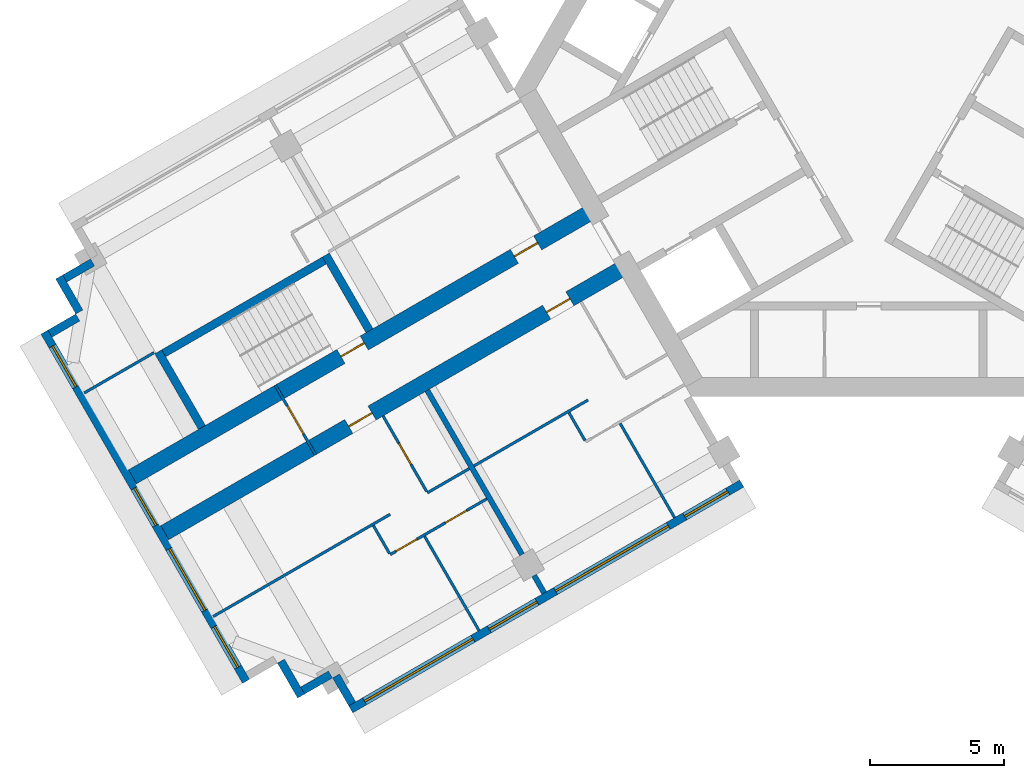
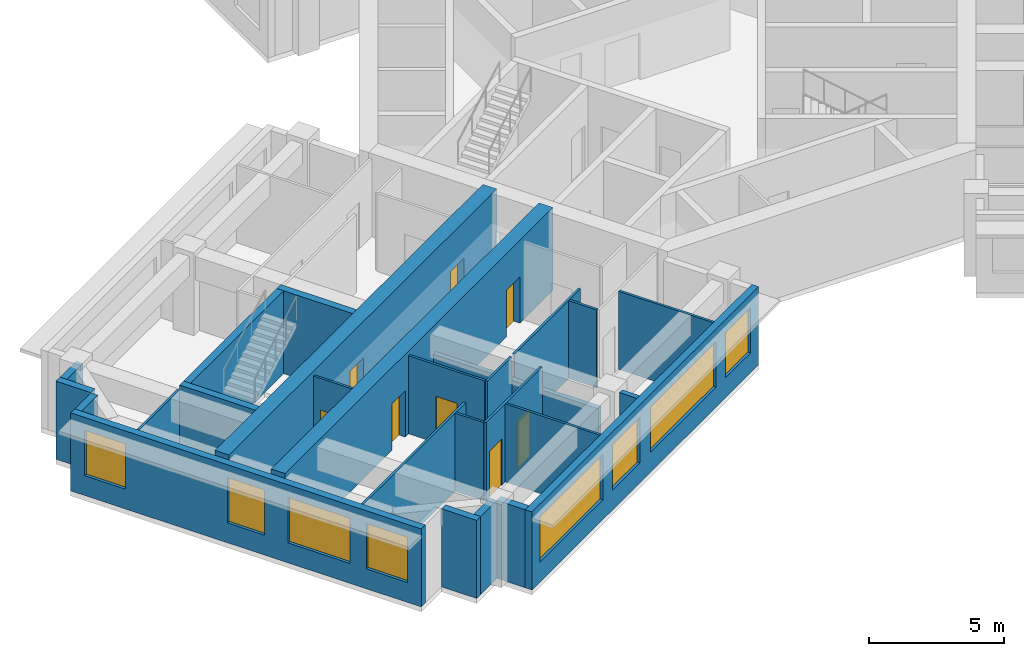
# One storey, part 2 of 10: 26 walls, 8 doors, 8 windows, 16 openings.
"""IFC4 building model written with IfcOpenShell, lengths in metres."""

from ifc_helpers import new_model, si_unit, direction, frame, frame_2d, origin, place, context, subcontext, project, spatial, rectangle, extrude, material, layer, layer_set, type_object, element, fill, save


model = new_model("IFC4")

# Units and contexts
model_context = context("Model", 3, precision=1e-05, world=origin(), true_north=direction((0.0, 1.0)))
body_context = subcontext(model_context, "Body", "Model", "MODEL_VIEW")
ifc_project = project(units=[si_unit("LENGTHUNIT", "METRE"), si_unit("AREAUNIT", "SQUARE_METRE"), si_unit("VOLUMEUNIT", "CUBIC_METRE"), si_unit("PLANEANGLEUNIT", "RADIAN"), si_unit("MASSUNIT", "GRAM", prefix="KILO")], contexts=[model_context])

# Site, building, storey
site_placement = place(None, origin())
site = spatial("IfcSite", under=ifc_project, at=site_placement, CompositionType="ELEMENT")
building_placement = place(site_placement, origin())
building = spatial("IfcBuilding", under=site, at=building_placement, Name="Impinga Residences", CompositionType="ELEMENT")
storey_placement = place(building_placement, frame((0.0, 0.0, 256.0)))
storey = spatial("IfcBuildingStorey", under=building, at=storey_placement, Name="L64", CompositionType="ELEMENT", Elevation=256.0)

# Wall, openings, doors
ifc_material_1 = material(Name="Concrete C60/75", Category="concrete")
ifc_layer_1 = layer(ifc_material_1, 0.60009765625)
ifc_layer_set_1 = layer_set([ifc_layer_1], Name="Concrete C60/75")
wall_type_1 = type_object("IfcWallType", Name="BW3 corridor buttress wall, L46 to L73 600", PredefinedType="SHEAR", material=ifc_layer_set_1)
wall_1_placement = place(storey_placement, frame((-8.996826171875, -6.580078125, 0.0), z_axis=(0.0, 0.0, 1.0), x_axis=(-0.866030540451, -0.499991102927, 0.0)))
wall_1 = element("IfcWall", 1, at=wall_1_placement, inside=storey, type_object=wall_type_1, Name="Corridor wall BW3 WC L64", PredefinedType="SHEAR", context=body_context, shape_type="SweptSolid", body=[
    extrude(rectangle(XDim=19.849853515625, YDim=0.60009765625, at=frame_2d((9.9248046875, 0.0))), origin(), (0.0, 0.0, 1.0), 3.75),
])
opening_1_placement = place(wall_1_placement, frame((2.449951171875, 0.0, 0.0)))
opening_1 = element("IfcOpeningElement", 2, at=opening_1_placement, cuts=wall_1, Name="Opening D1", PredefinedType="OPENING", context=body_context, shape_type="SweptSolid", body=[
    extrude(rectangle(XDim=1.0, YDim=2.10009765625, at=frame_2d((0.5, 1.050048828125))), frame((0.0, 0.31005859375, 0.0), z_axis=(0.0, -1.0, 0.0), x_axis=(1.0, 0.0, 0.0)), (0.0, 0.0, 1.0), 0.6201171875),
])
opening_2_placement = place(wall_1_placement, frame((10.949951171875, 0.0, 0.0)))
opening_2 = element("IfcOpeningElement", 3, at=opening_2_placement, cuts=wall_1, Name="Opening D1", PredefinedType="OPENING", context=body_context, shape_type="SweptSolid", body=[
    extrude(rectangle(XDim=1.0, YDim=2.10009765625, at=frame_2d((0.5, 1.050048828125))), frame((0.0, 0.31005859375, 0.0), z_axis=(0.0, -1.0, 0.0), x_axis=(1.0, 0.0, 0.0)), (0.0, 0.0, 1.0), 0.6201171875),
])
ifc_material_2 = material(Name="Timber door set", Category="wood")
door_type_1 = type_object("IfcDoorType", Name="D1 apartment entrance door 1000x2100", OperationType="SINGLE_SWING_LEFT", PredefinedType="DOOR", material=ifc_material_2)
door_1_placement = place(opening_1_placement, origin())
door_1 = element("IfcDoor", 4, at=door_1_placement, inside=storey, type_object=door_type_1, Name="Apartment L64-WA1 entrance", OperationType="SINGLE_SWING_LEFT", OverallHeight=2.10009765625, OverallWidth=1.0, PredefinedType="DOOR", context=body_context, shape_type="SweptSolid", body=[
    extrude(rectangle(XDim=1.0, YDim=2.10009765625, at=frame_2d((0.5, 1.050048828125))), frame((0.0, 0.02490234375, 0.0), z_axis=(0.0, -1.0, 0.0), x_axis=(1.0, 0.0, 0.0)), (0.0, 0.0, 1.0), 0.050048828125),
])
fill(opening_1, door_1)
door_2_placement = place(opening_2_placement, origin())
door_2 = element("IfcDoor", 5, at=door_2_placement, inside=storey, type_object=door_type_1, Name="Apartment L64-WA2 entrance", OperationType="SINGLE_SWING_RIGHT", OverallHeight=2.10009765625, OverallWidth=1.0, PredefinedType="DOOR", context=body_context, shape_type="SweptSolid", body=[
    extrude(rectangle(XDim=1.0, YDim=2.10009765625, at=frame_2d((0.5, 1.050048828125))), frame((0.0, 0.02490234375, 0.0), z_axis=(0.0, -1.0, 0.0), x_axis=(1.0, 0.0, 0.0)), (0.0, 0.0, 1.0), 0.050048828125),
])
fill(opening_2, door_2)

wall_2_placement = place(storey_placement, frame((-10.19677734375, -4.50146484375, 0.0), z_axis=(0.0, 0.0, 1.0), x_axis=(-0.866025214745, -0.500000327426, 0.0)))
wall_2 = element("IfcWall", 6, at=wall_2_placement, inside=storey, type_object=wall_type_1, Name="Corridor wall BW3 WD L64", PredefinedType="SHEAR", context=body_context, shape_type="SweptSolid", body=[
    extrude(rectangle(XDim=19.85009765625, YDim=0.60009765625, at=frame_2d((9.925048828125, 0.0))), origin(), (0.0, 0.0, 1.0), 3.75),
])
opening_3_placement = place(wall_2_placement, frame((9.89990234375, 0.0, 0.0)))
opening_3 = element("IfcOpeningElement", 7, at=opening_3_placement, cuts=wall_2, Name="Opening D5", PredefinedType="OPENING", context=body_context, shape_type="SweptSolid", body=[
    extrude(rectangle(XDim=1.0, YDim=2.10009765625, at=frame_2d((0.5, 1.050048828125))), frame((0.0, 0.31005859375, 0.0), z_axis=(0.0, -1.0, 0.0), x_axis=(1.0, 0.0, 0.0)), (0.0, 0.0, 1.0), 0.6201171875),
])
opening_4_placement = place(wall_2_placement, frame((2.449951171875, 0.0, 0.0)))
opening_4 = element("IfcOpeningElement", 8, at=opening_4_placement, cuts=wall_2, Name="Opening D1", PredefinedType="OPENING", context=body_context, shape_type="SweptSolid", body=[
    extrude(rectangle(XDim=1.0, YDim=2.10009765625, at=frame_2d((0.5, 1.050048828125))), frame((0.0, 0.31005859375, 0.0), z_axis=(0.0, -1.0, 0.0), x_axis=(1.0, 0.0, 0.0)), (0.0, 0.0, 1.0), 0.6201171875),
])
door_3_placement = place(opening_4_placement, origin())
door_3 = element("IfcDoor", 9, at=door_3_placement, inside=storey, type_object=door_type_1, Name="Apartment L64-WF1 entrance", OperationType="SINGLE_SWING_LEFT", OverallHeight=2.10009765625, OverallWidth=1.0, PredefinedType="DOOR", context=body_context, shape_type="SweptSolid", body=[
    extrude(rectangle(XDim=1.0, YDim=2.10009765625, at=frame_2d((0.5, 1.050048828125))), frame((0.0, 0.02490234375, 0.0), z_axis=(0.0, -1.0, 0.0), x_axis=(1.0, 0.0, 0.0)), (0.0, 0.0, 1.0), 0.050048828125),
])
fill(opening_4, door_3)
door_type_2 = type_object("IfcDoorType", Name="D5 stair door 1000x2100", OperationType="SINGLE_SWING_LEFT", PredefinedType="DOOR", material=ifc_material_2)
door_4_placement = place(opening_3_placement, origin())
door_4 = element("IfcDoor", 10, at=door_4_placement, inside=storey, type_object=door_type_2, Name="Wing stair door W", OperationType="SINGLE_SWING_RIGHT", OverallHeight=2.10009765625, OverallWidth=1.0, PredefinedType="DOOR", context=body_context, shape_type="SweptSolid", body=[
    extrude(rectangle(XDim=1.0, YDim=2.10009765625, at=frame_2d((0.5, 1.050048828125))), frame((0.0, 0.02490234375, 0.0), z_axis=(0.0, -1.0, 0.0), x_axis=(1.0, 0.0, 0.0)), (0.0, 0.0, 1.0), 0.050048828125),
])
fill(opening_3, door_4)

# Wall, opening, door
ifc_material_3 = material(Name="Concrete blockwork", Category="masonry")
ifc_layer_2 = layer(ifc_material_3, 0.10009765625)
ifc_layer_set_2 = layer_set([ifc_layer_2], Name="CP1 core room partition, blockwork 100")
wall_type_2 = type_object("IfcWallType", Name="CP1 core room partition, blockwork 100", PredefinedType="PARTITIONING", material=ifc_layer_set_2)
wall_3_placement = place(storey_placement, frame((-20.58154296875, -13.61474609375, 0.0), z_axis=(0.0, 0.0, 1.0), x_axis=(-0.50002537861, 0.866010750942, 0.0)))
wall_3 = element("IfcWall", 11, at=wall_3_placement, inside=storey, type_object=wall_type_2, Name="Core room partition, blockwork L64:W:LNG", PredefinedType="PARTITIONING", context=body_context, shape_type="SweptSolid", body=[
    extrude(rectangle(XDim=2.999755859375, YDim=0.10009765625, at=frame_2d((1.5, 0.0))), origin(), (0.0, 0.0, 1.0), 3.530029296875),
])
opening_5_placement = place(wall_3_placement, frame((0.89990234375, 0.0, 0.0)))
opening_5 = element("IfcOpeningElement", 12, at=opening_5_placement, cuts=wall_3, Name="Opening D3", PredefinedType="OPENING", context=body_context, shape_type="SweptSolid", body=[
    extrude(rectangle(XDim=1.199951171875, YDim=2.10009765625, at=frame_2d((0.60009765625, 1.050048828125))), frame((0.0, 0.06005859375, 0.0), z_axis=(0.0, -1.0, 0.0), x_axis=(1.0, 0.0, 0.0)), (0.0, 0.0, 1.0), 0.1201171875),
])
door_type_3 = type_object("IfcDoorType", Name="D3 room door, leaf and a half 1200x2100", OperationType="DOUBLE_SWING_LEFT", PredefinedType="DOOR", material=ifc_material_2)
door_5_placement = place(opening_5_placement, origin())
door_5 = element("IfcDoor", 13, at=door_5_placement, inside=storey, type_object=door_type_3, Name="Residents' lounge door W", OperationType="DOUBLE_SWING_LEFT", OverallHeight=2.10009765625, OverallWidth=1.199951171875, PredefinedType="DOOR", context=body_context, shape_type="SweptSolid", body=[
    extrude(rectangle(XDim=1.199951171875, YDim=2.10009765625, at=frame_2d((0.60009765625, 1.050048828125))), frame((0.0, 0.02490234375, 0.0), z_axis=(0.0, -1.0, 0.0), x_axis=(1.0, 0.0, 0.0)), (0.0, 0.0, 1.0), 0.050048828125),
])
fill(opening_5, door_5)

# Walls
ifc_material_4 = material(Name="Terracotta rainscreen on blockwork", Category="masonry")
ifc_layer_3 = layer(ifc_material_4, 0.300048828125)
ifc_layer_set_3 = layer_set([ifc_layer_3], Name="EW1 external wall, terracotta rainscreen on blockwork 300")
wall_type_3 = type_object("IfcWallType", Name="EW1 external wall, terracotta rainscreen on blockwork 300", PredefinedType="SOLIDWALL", material=ifc_layer_set_3)
wall_4_placement = place(storey_placement, frame((-19.21923828125, -22.874267578125, 0.0), z_axis=(0.0, 0.0, 1.0), x_axis=(-0.500033551112, 0.866006032174, 0.0)))
element("IfcWall", 14, at=wall_4_placement, inside=storey, type_object=wall_type_3, Name="External wall EW1 L64", PredefinedType="SOLIDWALL", context=body_context, shape_type="SweptSolid", body=[
    extrude(rectangle(XDim=1.2001953125, YDim=0.300048828125, at=frame_2d((0.60009765625, 0.0))), origin(), (0.0, 0.0, 1.0), 3.530029296875),
])
wall_5_placement = place(storey_placement, frame((-20.028564453125, -21.782470703125, 0.0), z_axis=(0.0, 0.0, 1.0), x_axis=(-0.865971243484, -0.500093796661, 0.0)))
element("IfcWall", 15, at=wall_5_placement, inside=storey, type_object=wall_type_3, Name="External wall EW1 L64", PredefinedType="SOLIDWALL", context=body_context, shape_type="SweptSolid", body=[
    extrude(rectangle(XDim=1.195068359375, YDim=0.300048828125, at=frame_2d((0.59765625, 0.0))), origin(), (0.0, 0.0, 1.0), 3.530029296875),
])
wall_6_placement = place(storey_placement, frame((-21.118408203125, -22.5849609375, 0.0), z_axis=(0.0, 0.0, 1.0), x_axis=(-0.499990139034, 0.866031096941, 0.0)))
element("IfcWall", 16, at=wall_6_placement, inside=storey, type_object=wall_type_3, Name="External wall EW1 L64", PredefinedType="SOLIDWALL", context=body_context, shape_type="SweptSolid", body=[
    extrude(rectangle(XDim=1.5, YDim=0.300048828125, at=frame_2d((0.75, 0.0))), origin(), (0.0, 0.0, 1.0), 3.530029296875),
])

# Wall, openings, windows
wall_7_placement = place(storey_placement, frame((-23.16748046875, -22.035888671875, 0.0), z_axis=(0.0, 0.0, 1.0), x_axis=(-0.500004234368, 0.866022959057, 0.0)))
wall_7 = element("IfcWall", 17, at=wall_7_placement, inside=storey, type_object=wall_type_3, Name="External wall EW1 L64", PredefinedType="SOLIDWALL", context=body_context, shape_type="SweptSolid", body=[
    extrude(rectangle(XDim=14.999755859375, YDim=0.300048828125, at=frame_2d((7.5, 0.0))), origin(), (0.0, 0.0, 1.0), 3.530029296875),
])
opening_6_placement = place(wall_7_placement, frame((0.60009765625, 0.0, 0.89990234375)))
opening_6 = element("IfcOpeningElement", 18, at=opening_6_placement, cuts=wall_7, Name="Opening W1", PredefinedType="OPENING", context=body_context, shape_type="SweptSolid", body=[
    extrude(rectangle(XDim=1.75, YDim=2.050048828125, at=frame_2d((0.875, 1.02490234375))), frame((0.0, 0.159912109375, 0.0), z_axis=(0.0, -1.0, 0.0), x_axis=(1.0, 0.0, 0.0)), (0.0, 0.0, 1.0), 0.320068359375),
])
opening_7_placement = place(wall_7_placement, frame((3.050048828125, 0.0, 0.89990234375)))
opening_7 = element("IfcOpeningElement", 19, at=opening_7_placement, cuts=wall_7, Name="Opening W18", PredefinedType="OPENING", context=body_context, shape_type="SweptSolid", body=[
    extrude(rectangle(XDim=2.64990234375, YDim=2.050048828125, at=frame_2d((1.324951171875, 1.02490234375))), frame((0.0, 0.159912109375, 0.0), z_axis=(0.0, -1.0, 0.0), x_axis=(1.0, 0.0, 0.0)), (0.0, 0.0, 1.0), 0.320068359375),
])
opening_8_placement = place(wall_7_placement, frame((6.699951171875, 0.0, 0.89990234375)))
opening_8 = element("IfcOpeningElement", 20, at=opening_8_placement, cuts=wall_7, Name="Opening W19", PredefinedType="OPENING", context=body_context, shape_type="SweptSolid", body=[
    extrude(rectangle(XDim=1.60009765625, YDim=2.050048828125, at=frame_2d((0.800048828125, 1.02490234375))), frame((0.0, 0.159912109375, 0.0), z_axis=(0.0, -1.0, 0.0), x_axis=(1.0, 0.0, 0.0)), (0.0, 0.0, 1.0), 0.320068359375),
])
opening_9_placement = place(wall_7_placement, frame((12.64990234375, 0.0, 0.89990234375)))
opening_9 = element("IfcOpeningElement", 21, at=opening_9_placement, cuts=wall_7, Name="Opening W1", PredefinedType="OPENING", context=body_context, shape_type="SweptSolid", body=[
    extrude(rectangle(XDim=1.75, YDim=2.050048828125, at=frame_2d((0.875, 1.02490234375))), frame((0.0, 0.159912109375, 0.0), z_axis=(0.0, -1.0, 0.0), x_axis=(1.0, 0.0, 0.0)), (0.0, 0.0, 1.0), 0.320068359375),
])
ifc_material_5 = material(Name="Aluminium window, clear double glazing", Category="aluminium")
window_type_1 = type_object("IfcWindowType", Name="W1 ribbon window 1750x2050", PartitioningType="SINGLE_PANEL", PredefinedType="WINDOW", material=ifc_material_5)
window_1_placement = place(opening_6_placement, origin())
window_1 = element("IfcWindow", 22, at=window_1_placement, inside=storey, type_object=window_type_1, Name="Window L64", OverallHeight=2.050048828125, OverallWidth=1.75, PartitioningType="SINGLE_PANEL", PredefinedType="WINDOW", context=body_context, shape_type="SweptSolid", body=[
    extrude(rectangle(XDim=1.75, YDim=2.050048828125, at=frame_2d((0.875, 1.02490234375))), frame((0.0, 0.030029296875, 0.0), z_axis=(0.0, -1.0, 0.0), x_axis=(1.0, 0.0, 0.0)), (0.0, 0.0, 1.0), 0.06005859375),
])
fill(opening_6, window_1)
window_2_placement = place(opening_9_placement, origin())
window_2 = element("IfcWindow", 23, at=window_2_placement, inside=storey, type_object=window_type_1, Name="Window L64", OverallHeight=2.050048828125, OverallWidth=1.75, PartitioningType="SINGLE_PANEL", PredefinedType="WINDOW", context=body_context, shape_type="SweptSolid", body=[
    extrude(rectangle(XDim=1.75, YDim=2.050048828125, at=frame_2d((0.875, 1.02490234375))), frame((0.0, 0.030029296875, 0.0), z_axis=(0.0, -1.0, 0.0), x_axis=(1.0, 0.0, 0.0)), (0.0, 0.0, 1.0), 0.06005859375),
])
fill(opening_9, window_2)
window_type_2 = type_object("IfcWindowType", Name="W18 ribbon window 2650x2050", PartitioningType="SINGLE_PANEL", PredefinedType="WINDOW", material=ifc_material_5)
window_3_placement = place(opening_7_placement, origin())
window_3 = element("IfcWindow", 24, at=window_3_placement, inside=storey, type_object=window_type_2, Name="Window L64", OverallHeight=2.050048828125, OverallWidth=2.64990234375, PartitioningType="SINGLE_PANEL", PredefinedType="WINDOW", context=body_context, shape_type="SweptSolid", body=[
    extrude(rectangle(XDim=2.64990234375, YDim=2.050048828125, at=frame_2d((1.324951171875, 1.02490234375))), frame((0.0, 0.030029296875, 0.0), z_axis=(0.0, -1.0, 0.0), x_axis=(1.0, 0.0, 0.0)), (0.0, 0.0, 1.0), 0.06005859375),
])
fill(opening_7, window_3)
window_type_3 = type_object("IfcWindowType", Name="W19 ribbon window 1600x2050", PartitioningType="SINGLE_PANEL", PredefinedType="WINDOW", material=ifc_material_5)
window_4_placement = place(opening_8_placement, origin())
window_4 = element("IfcWindow", 25, at=window_4_placement, inside=storey, type_object=window_type_3, Name="Window L64", OverallHeight=2.050048828125, OverallWidth=1.60009765625, PartitioningType="SINGLE_PANEL", PredefinedType="WINDOW", context=body_context, shape_type="SweptSolid", body=[
    extrude(rectangle(XDim=1.60009765625, YDim=2.050048828125, at=frame_2d((0.800048828125, 1.02490234375))), frame((0.0, 0.030029296875, 0.0), z_axis=(0.0, -1.0, 0.0), x_axis=(1.0, 0.0, 0.0)), (0.0, 0.0, 1.0), 0.06005859375),
])
fill(opening_8, window_4)

# Walls
wall_8_placement = place(storey_placement, frame((-30.46240234375, -9.1005859375, 0.0), z_axis=(0.0, 0.0, 1.0), x_axis=(0.865971243484, 0.500093796661, 0.0)))
element("IfcWall", 26, at=wall_8_placement, inside=storey, type_object=wall_type_3, Name="External wall EW1 L64", PredefinedType="SOLIDWALL", context=body_context, shape_type="SweptSolid", body=[
    extrude(rectangle(XDim=1.195068359375, YDim=0.300048828125, at=frame_2d((0.59765625, 0.0))), origin(), (0.0, 0.0, 1.0), 3.530029296875),
])
wall_9_placement = place(storey_placement, frame((-29.368408203125, -8.295654296875, 0.0), z_axis=(0.0, 0.0, 1.0), x_axis=(-0.499990139034, 0.866031096941, 0.0)))
element("IfcWall", 27, at=wall_9_placement, inside=storey, type_object=wall_type_3, Name="External wall EW1 L64", PredefinedType="SOLIDWALL", context=body_context, shape_type="SweptSolid", body=[
    extrude(rectangle(XDim=1.5, YDim=0.300048828125, at=frame_2d((0.75, 0.0))), origin(), (0.0, 0.0, 1.0), 3.530029296875),
])
wall_10_placement = place(storey_placement, frame((-29.91357421875, -7.051513671875, 0.0), z_axis=(0.0, 0.0, 1.0), x_axis=(0.865971243484, 0.500093796661, 0.0)))
element("IfcWall", 28, at=wall_10_placement, inside=storey, type_object=wall_type_3, Name="External wall EW1 L64", PredefinedType="SOLIDWALL", context=body_context, shape_type="SweptSolid", body=[
    extrude(rectangle(XDim=1.195068359375, YDim=0.300048828125, at=frame_2d((0.59765625, 0.0))), origin(), (0.0, 0.0, 1.0), 3.530029296875),
])

# Wall, openings, windows
wall_11_placement = place(storey_placement, frame((-4.72509765625, -14.67919921875, 0.0), z_axis=(0.0, 0.0, 1.0), x_axis=(-0.86602562146, -0.499999622975, 0.0)))
wall_11 = element("IfcWall", 29, at=wall_11_placement, inside=storey, type_object=wall_type_3, Name="External wall EW1 L64", PredefinedType="SOLIDWALL", context=body_context, shape_type="SweptSolid", body=[
    extrude(rectangle(XDim=16.7998046875, YDim=0.300048828125, at=frame_2d((8.39990234375, 0.0))), origin(), (0.0, 0.0, 1.0), 3.530029296875),
])
opening_10_placement = place(wall_11_placement, frame((0.60009765625, 0.0, 0.89990234375)))
opening_10 = element("IfcOpeningElement", 30, at=opening_10_placement, cuts=wall_11, Name="Opening W15", PredefinedType="OPENING", context=body_context, shape_type="SweptSolid", body=[
    extrude(rectangle(XDim=1.85009765625, YDim=2.050048828125, at=frame_2d((0.925048828125, 1.02490234375))), frame((0.0, 0.159912109375, 0.0), z_axis=(0.0, -1.0, 0.0), x_axis=(1.0, 0.0, 0.0)), (0.0, 0.0, 1.0), 0.320068359375),
])
opening_11_placement = place(wall_11_placement, frame((3.14990234375, 0.0, 0.89990234375)))
opening_11 = element("IfcOpeningElement", 31, at=opening_11_placement, cuts=wall_11, Name="Opening W6", PredefinedType="OPENING", context=body_context, shape_type="SweptSolid", body=[
    extrude(rectangle(XDim=4.85009765625, YDim=2.050048828125, at=frame_2d((2.425048828125, 1.02490234375))), frame((0.0, 0.159912109375, 0.0), z_axis=(0.0, -1.0, 0.0), x_axis=(1.0, 0.0, 0.0)), (0.0, 0.0, 1.0), 0.320068359375),
])
opening_12_placement = place(wall_11_placement, frame((8.800048828125, 0.0, 0.89990234375)))
opening_12 = element("IfcOpeningElement", 32, at=opening_12_placement, cuts=wall_11, Name="Opening W14", PredefinedType="OPENING", context=body_context, shape_type="SweptSolid", body=[
    extrude(rectangle(XDim=2.050048828125, YDim=2.050048828125, at=frame_2d((1.02490234375, 1.02490234375))), frame((0.0, 0.159912109375, 0.0), z_axis=(0.0, -1.0, 0.0), x_axis=(1.0, 0.0, 0.0)), (0.0, 0.0, 1.0), 0.320068359375),
])
opening_13_placement = place(wall_11_placement, frame((11.550048828125, 0.0, 0.89990234375)))
opening_13 = element("IfcOpeningElement", 33, at=opening_13_placement, cuts=wall_11, Name="Opening W10", PredefinedType="OPENING", context=body_context, shape_type="SweptSolid", body=[
    extrude(rectangle(XDim=4.64990234375, YDim=2.050048828125, at=frame_2d((2.324951171875, 1.02490234375))), frame((0.0, 0.159912109375, 0.0), z_axis=(0.0, -1.0, 0.0), x_axis=(1.0, 0.0, 0.0)), (0.0, 0.0, 1.0), 0.320068359375),
])
window_type_4 = type_object("IfcWindowType", Name="W10 ribbon window 4650x2050", PartitioningType="SINGLE_PANEL", PredefinedType="WINDOW", material=ifc_material_5)
window_5_placement = place(opening_13_placement, origin())
window_5 = element("IfcWindow", 34, at=window_5_placement, inside=storey, type_object=window_type_4, Name="Window L64", OverallHeight=2.050048828125, OverallWidth=4.64990234375, PartitioningType="SINGLE_PANEL", PredefinedType="WINDOW", context=body_context, shape_type="SweptSolid", body=[
    extrude(rectangle(XDim=4.64990234375, YDim=2.050048828125, at=frame_2d((2.324951171875, 1.02490234375))), frame((0.0, 0.030029296875, 0.0), z_axis=(0.0, -1.0, 0.0), x_axis=(1.0, 0.0, 0.0)), (0.0, 0.0, 1.0), 0.06005859375),
])
fill(opening_13, window_5)
window_type_5 = type_object("IfcWindowType", Name="W14 ribbon window 2050x2050", PartitioningType="SINGLE_PANEL", PredefinedType="WINDOW", material=ifc_material_5)
window_6_placement = place(opening_12_placement, origin())
window_6 = element("IfcWindow", 35, at=window_6_placement, inside=storey, type_object=window_type_5, Name="Window L64", OverallHeight=2.050048828125, OverallWidth=2.050048828125, PartitioningType="SINGLE_PANEL", PredefinedType="WINDOW", context=body_context, shape_type="SweptSolid", body=[
    extrude(rectangle(XDim=2.050048828125, YDim=2.050048828125, at=frame_2d((1.02490234375, 1.02490234375))), frame((0.0, 0.030029296875, 0.0), z_axis=(0.0, -1.0, 0.0), x_axis=(1.0, 0.0, 0.0)), (0.0, 0.0, 1.0), 0.06005859375),
])
fill(opening_12, window_6)
window_type_6 = type_object("IfcWindowType", Name="W15 ribbon window 1850x2050", PartitioningType="SINGLE_PANEL", PredefinedType="WINDOW", material=ifc_material_5)
window_7_placement = place(opening_10_placement, origin())
window_7 = element("IfcWindow", 36, at=window_7_placement, inside=storey, type_object=window_type_6, Name="Window L64", OverallHeight=2.050048828125, OverallWidth=1.85009765625, PartitioningType="SINGLE_PANEL", PredefinedType="WINDOW", context=body_context, shape_type="SweptSolid", body=[
    extrude(rectangle(XDim=1.85009765625, YDim=2.050048828125, at=frame_2d((0.925048828125, 1.02490234375))), frame((0.0, 0.030029296875, 0.0), z_axis=(0.0, -1.0, 0.0), x_axis=(1.0, 0.0, 0.0)), (0.0, 0.0, 1.0), 0.06005859375),
])
fill(opening_10, window_7)
window_type_7 = type_object("IfcWindowType", Name="W6 ribbon window 4850x2050", PartitioningType="SINGLE_PANEL", PredefinedType="WINDOW", material=ifc_material_5)
window_8_placement = place(opening_11_placement, origin())
window_8 = element("IfcWindow", 37, at=window_8_placement, inside=storey, type_object=window_type_7, Name="Window L64", OverallHeight=2.050048828125, OverallWidth=4.85009765625, PartitioningType="SINGLE_PANEL", PredefinedType="WINDOW", context=body_context, shape_type="SweptSolid", body=[
    extrude(rectangle(XDim=4.85009765625, YDim=2.050048828125, at=frame_2d((2.425048828125, 1.02490234375))), frame((0.0, 0.030029296875, 0.0), z_axis=(0.0, -1.0, 0.0), x_axis=(1.0, 0.0, 0.0)), (0.0, 0.0, 1.0), 0.06005859375),
])
fill(opening_11, window_8)

# Walls
ifc_material_6 = material(Name="Gypsum board on steel studs", Category="steel")
ifc_layer_4 = layer(ifc_material_6, 0.10009765625)
ifc_layer_set_4 = layer_set([ifc_layer_4], Name="Gypsum board on steel studs")
wall_type_4 = type_object("IfcWallType", Name="IP1 partition 100", PredefinedType="PARTITIONING", material=ifc_layer_set_4)
wall_12_placement = place(storey_placement, frame((-10.444580078125, -11.57275390625, 0.0), z_axis=(0.0, 0.0, 1.0), x_axis=(-0.866023786258, -0.500002801628, 0.0)))
element("IfcWall", 38, at=wall_12_placement, inside=storey, type_object=wall_type_4, Name="Partition L64-WA1:DIV1", PredefinedType="PARTITIONING", context=body_context, shape_type="SweptSolid", body=[
    extrude(rectangle(XDim=4.89990234375, YDim=0.10009765625, at=frame_2d((2.449951171875, 0.0))), origin(), (0.0, 0.0, 1.0), 3.530029296875),
])
wall_13_placement = place(storey_placement, frame((-11.155517578125, -12.041015625, 0.0), z_axis=(0.0, 0.0, 1.0), x_axis=(0.499880961361, -0.866094119867, 0.0)))
element("IfcWall", 39, at=wall_13_placement, inside=storey, type_object=wall_type_4, Name="Partition L64-WA1:SE1", PredefinedType="PARTITIONING", context=body_context, shape_type="SweptSolid", body=[
    extrude(rectangle(XDim=1.199951171875, YDim=0.10009765625, at=frame_2d((0.60009765625, 0.0))), origin(), (0.0, 0.0, 1.0), 3.530029296875),
])
wall_14_placement = place(storey_placement, frame((-9.249755859375, -12.44189453125, 0.0), z_axis=(0.0, 0.0, 1.0), x_axis=(0.499990325971, -0.866030989016, 0.0)))
element("IfcWall", 40, at=wall_14_placement, inside=storey, type_object=wall_type_4, Name="Partition L64-WA1:OB1", PredefinedType="PARTITIONING", context=body_context, shape_type="SweptSolid", body=[
    extrude(rectangle(XDim=4.0498046875, YDim=0.10009765625, at=frame_2d((2.02490234375, 0.0))), origin(), (0.0, 0.0, 1.0), 3.530029296875),
])
wall_15_placement = place(storey_placement, frame((-14.861328125, -14.122802734375, 0.0), z_axis=(0.0, 0.0, 1.0), x_axis=(-0.866047807691, -0.499961193289, 0.0)))
element("IfcWall", 41, at=wall_15_placement, inside=storey, type_object=wall_type_4, Name="Partition L64-WA2:DIV0", PredefinedType="PARTITIONING", context=body_context, shape_type="SweptSolid", body=[
    extrude(rectangle(XDim=1.800048828125, YDim=0.10009765625, at=frame_2d((0.89990234375, 0.0))), origin(), (0.0, 0.0, 1.0), 3.530029296875),
])
wall_16_placement = place(storey_placement, frame((-17.8056640625, -15.82275390625, 0.0), z_axis=(0.0, 0.0, 1.0), x_axis=(-0.866022425744, -0.500005158081, 0.0)))
element("IfcWall", 42, at=wall_16_placement, inside=storey, type_object=wall_type_4, Name="Partition L64-WA2:DIV1", PredefinedType="PARTITIONING", context=body_context, shape_type="SweptSolid", body=[
    extrude(rectangle(XDim=7.60009765625, YDim=0.10009765625, at=frame_2d((3.800048828125, 0.0))), origin(), (0.0, 0.0, 1.0), 3.530029296875),
])

# Wall, openings, doors
wall_17_placement = place(storey_placement, frame((-14.211181640625, -15.24853515625, 0.0), z_axis=(0.0, 0.0, 1.0), x_axis=(-0.86602981871, -0.499992353047, 0.0)))
wall_17 = element("IfcWall", 43, at=wall_17_placement, inside=storey, type_object=wall_type_4, Name="Partition L64-WA2:STRIP", PredefinedType="PARTITIONING", context=body_context, shape_type="SweptSolid", body=[
    extrude(rectangle(XDim=4.14990234375, YDim=0.10009765625, at=frame_2d((2.074951171875, 0.0))), origin(), (0.0, 0.0, 1.0), 3.530029296875),
])
opening_14_placement = place(wall_17_placement, frame((0.875, 0.0, 0.0)))
opening_14 = element("IfcOpeningElement", 44, at=opening_14_placement, cuts=wall_17, Name="Opening D2", PredefinedType="OPENING", context=body_context, shape_type="SweptSolid", body=[
    extrude(rectangle(XDim=0.89990234375, YDim=2.10009765625, at=frame_2d((0.449951171875, 1.050048828125))), frame((0.0, 0.06005859375, 0.0), z_axis=(0.0, -1.0, 0.0), x_axis=(1.0, 0.0, 0.0)), (0.0, 0.0, 1.0), 0.1201171875),
])
opening_15_placement = place(wall_17_placement, frame((3.0, 0.0, 0.0)))
opening_15 = element("IfcOpeningElement", 45, at=opening_15_placement, cuts=wall_17, Name="Opening D2", PredefinedType="OPENING", context=body_context, shape_type="SweptSolid", body=[
    extrude(rectangle(XDim=0.89990234375, YDim=2.10009765625, at=frame_2d((0.449951171875, 1.050048828125))), frame((0.0, 0.06005859375, 0.0), z_axis=(0.0, -1.0, 0.0), x_axis=(1.0, 0.0, 0.0)), (0.0, 0.0, 1.0), 0.1201171875),
])
door_type_4 = type_object("IfcDoorType", Name="D2 internal door 900x2100", OperationType="SINGLE_SWING_LEFT", PredefinedType="DOOR", material=ifc_material_2)
door_6_placement = place(opening_14_placement, origin())
door_6 = element("IfcDoor", 46, at=door_6_placement, inside=storey, type_object=door_type_4, Name="Apartment L64-WA2 room door", OperationType="SINGLE_SWING_LEFT", OverallHeight=2.10009765625, OverallWidth=0.89990234375, PredefinedType="DOOR", context=body_context, shape_type="SweptSolid", body=[
    extrude(rectangle(XDim=0.89990234375, YDim=2.10009765625, at=frame_2d((0.449951171875, 1.050048828125))), frame((0.0, 0.02490234375, 0.0), z_axis=(0.0, -1.0, 0.0), x_axis=(1.0, 0.0, 0.0)), (0.0, 0.0, 1.0), 0.050048828125),
])
fill(opening_14, door_6)
door_7_placement = place(opening_15_placement, origin())
door_7 = element("IfcDoor", 47, at=door_7_placement, inside=storey, type_object=door_type_4, Name="Apartment L64-WA2 room door", OperationType="SINGLE_SWING_RIGHT", OverallHeight=2.10009765625, OverallWidth=0.89990234375, PredefinedType="DOOR", context=body_context, shape_type="SweptSolid", body=[
    extrude(rectangle(XDim=0.89990234375, YDim=2.10009765625, at=frame_2d((0.449951171875, 1.050048828125))), frame((0.0, 0.02490234375, 0.0), z_axis=(0.0, -1.0, 0.0), x_axis=(1.0, 0.0, 0.0)), (0.0, 0.0, 1.0), 0.050048828125),
])
fill(opening_15, door_7)

# Wall
wall_18_placement = place(storey_placement, frame((-18.43017578125, -16.240966796875, 0.0), z_axis=(0.0, 0.0, 1.0), x_axis=(0.499880961361, -0.866094119867, 0.0)))
element("IfcWall", 48, at=wall_18_placement, inside=storey, type_object=wall_type_4, Name="Partition L64-WA2:SE1", PredefinedType="PARTITIONING", context=body_context, shape_type="SweptSolid", body=[
    extrude(rectangle(XDim=1.199951171875, YDim=0.10009765625, at=frame_2d((0.60009765625, 0.0))), origin(), (0.0, 0.0, 1.0), 3.530029296875),
])

# Wall, opening, door
wall_19_placement = place(storey_placement, frame((-18.070068359375, -12.164794921875, 0.0), z_axis=(0.0, 0.0, 1.0), x_axis=(0.499984717929, -0.866034226713, 0.0)))
wall_19 = element("IfcWall", 49, at=wall_19_placement, inside=storey, type_object=wall_type_4, Name="Partition L64-WA2:IB1", PredefinedType="PARTITIONING", context=body_context, shape_type="SweptSolid", body=[
    extrude(rectangle(XDim=3.25, YDim=0.10009765625, at=frame_2d((1.625, 0.0))), origin(), (0.0, 0.0, 1.0), 3.530029296875),
])
opening_16_placement = place(wall_19_placement, frame((1.175048828125, 0.0, 0.0)))
opening_16 = element("IfcOpeningElement", 50, at=opening_16_placement, cuts=wall_19, Name="Opening D2", PredefinedType="OPENING", context=body_context, shape_type="SweptSolid", body=[
    extrude(rectangle(XDim=0.89990234375, YDim=2.10009765625, at=frame_2d((0.449951171875, 1.050048828125))), frame((0.0, 0.06005859375, 0.0), z_axis=(0.0, -1.0, 0.0), x_axis=(1.0, 0.0, 0.0)), (0.0, 0.0, 1.0), 0.1201171875),
])
door_8_placement = place(opening_16_placement, origin())
door_8 = element("IfcDoor", 51, at=door_8_placement, inside=storey, type_object=door_type_4, Name="Apartment L64-WA2 bathroom door", OperationType="SINGLE_SWING_LEFT", OverallHeight=2.10009765625, OverallWidth=0.89990234375, PredefinedType="DOOR", context=body_context, shape_type="SweptSolid", body=[
    extrude(rectangle(XDim=0.89990234375, YDim=2.10009765625, at=frame_2d((0.449951171875, 1.050048828125))), frame((0.0, 0.02490234375, 0.0), z_axis=(0.0, -1.0, 0.0), x_axis=(1.0, 0.0, 0.0)), (0.0, 0.0, 1.0), 0.050048828125),
])
fill(opening_16, door_8)

# Walls
wall_20_placement = place(storey_placement, frame((-16.5244140625, -16.641845703125, 0.0), z_axis=(0.0, 0.0, 1.0), x_axis=(0.499990325971, -0.866030989016, 0.0)))
element("IfcWall", 52, at=wall_20_placement, inside=storey, type_object=wall_type_4, Name="Partition L64-WA2:OB1", PredefinedType="PARTITIONING", context=body_context, shape_type="SweptSolid", body=[
    extrude(rectangle(XDim=4.0498046875, YDim=0.10009765625, at=frame_2d((2.02490234375, 0.0))), origin(), (0.0, 0.0, 1.0), 3.530029296875),
])
wall_21_placement = place(storey_placement, frame((-26.58935546875, -9.808837890625, 0.0), z_axis=(0.0, 0.0, 1.0), x_axis=(-0.866031096941, -0.499990139034, 0.0)))
element("IfcWall", 53, at=wall_21_placement, inside=storey, type_object=wall_type_4, Name="Partition L64-WF1:DIV2", PredefinedType="PARTITIONING", context=body_context, shape_type="SweptSolid", body=[
    extrude(rectangle(XDim=3.0, YDim=0.10009765625, at=frame_2d((1.5, 0.0))), origin(), (0.0, 0.0, 1.0), 3.530029296875),
])
ifc_layer_5 = layer(ifc_material_3, 0.199951171875)
ifc_layer_set_5 = layer_set([ifc_layer_5], Name="PW1 party wall between apartments 200")
wall_type_5 = type_object("IfcWallType", Name="PW1 party wall between apartments 200", PredefinedType="SOLIDWALL", material=ifc_layer_set_5)
wall_22_placement = place(storey_placement, frame((-16.424560546875, -11.21484375, 0.0), z_axis=(0.0, 0.0, 1.0), x_axis=(0.499990246421, -0.866031034943, 0.0)))
element("IfcWall", 54, at=wall_22_placement, inside=storey, type_object=wall_type_5, Name="Party wall between apartments L64-WA1:PARTY", PredefinedType="SOLIDWALL", context=body_context, shape_type="SweptSolid", body=[
    extrude(rectangle(XDim=7.050048828125, YDim=0.199951171875, at=frame_2d((3.52490234375, 0.0))), origin(), (0.0, 0.0, 1.0), 2.47998046875),
])
wall_23_placement = place(storey_placement, frame((-12.44970703125, -18.099609375, 0.0), z_axis=(0.0, 0.0, 1.0), x_axis=(0.499919672301, -0.866071776036, 0.0)))
element("IfcWall", 55, at=wall_23_placement, inside=storey, type_object=wall_type_5, Name="Party wall between apartments L64-WA1:PARTYb", PredefinedType="SOLIDWALL", context=body_context, shape_type="SweptSolid", body=[
    extrude(rectangle(XDim=0.75, YDim=0.199951171875, at=frame_2d((0.375, 0.0))), origin(), (0.0, 0.0, 1.0), 3.530029296875),
])
ifc_layer_6 = layer(ifc_material_1, 0.300048828125)
ifc_layer_set_6 = layer_set([ifc_layer_6], Name="Concrete C60/75")
wall_type_6 = type_object("IfcWallType", Name="SE1 wing stair enclosure wall 300", PredefinedType="SOLIDWALL", material=ifc_layer_set_6)
for number, where, z_axis, x_axis, name in (
    (56, (-18.57421875, -8.99169921875, 0.0), (0.0, 0.0, 1.0), (-0.500017246033, 0.866015446554, 0.0), "Stair enclosure wall SE1 W END0 L64"),
    (57, (-24.8095703125, -12.591796875, 0.0), (0.0, 0.0, 1.0), (-0.499984717929, 0.866034226713, 0.0), "Stair enclosure wall SE1 W END1 L64"),
):
    element("IfcWall", number, at=place(storey_placement, frame(where, z_axis=z_axis, x_axis=x_axis)), inside=storey, type_object=wall_type_6, Name=name, PredefinedType="SOLIDWALL", context=body_context, shape_type="SweptSolid", body=[
        extrude(rectangle(XDim=3.25, YDim=0.300048828125, at=frame_2d((1.625, 0.0))), origin(), (0.0, 0.0, 1.0), 3.75),
    ])
wall_24_placement = place(storey_placement, frame((-20.254150390625, -6.382080078125, 0.0), z_axis=(0.0, 0.0, 1.0), x_axis=(-0.866020008033, -0.500009345598, 0.0)))
element("IfcWall", 58, at=wall_24_placement, inside=storey, type_object=wall_type_6, Name="Stair enclosure wall SE1 W OUT L64", PredefinedType="SOLIDWALL", context=body_context, shape_type="SweptSolid", body=[
    extrude(rectangle(XDim=6.899658203125, YDim=0.300048828125, at=frame_2d((3.44970703125, 0.0))), origin(), (0.0, 0.0, 1.0), 3.75),
])

save(model, "model.ifc")
